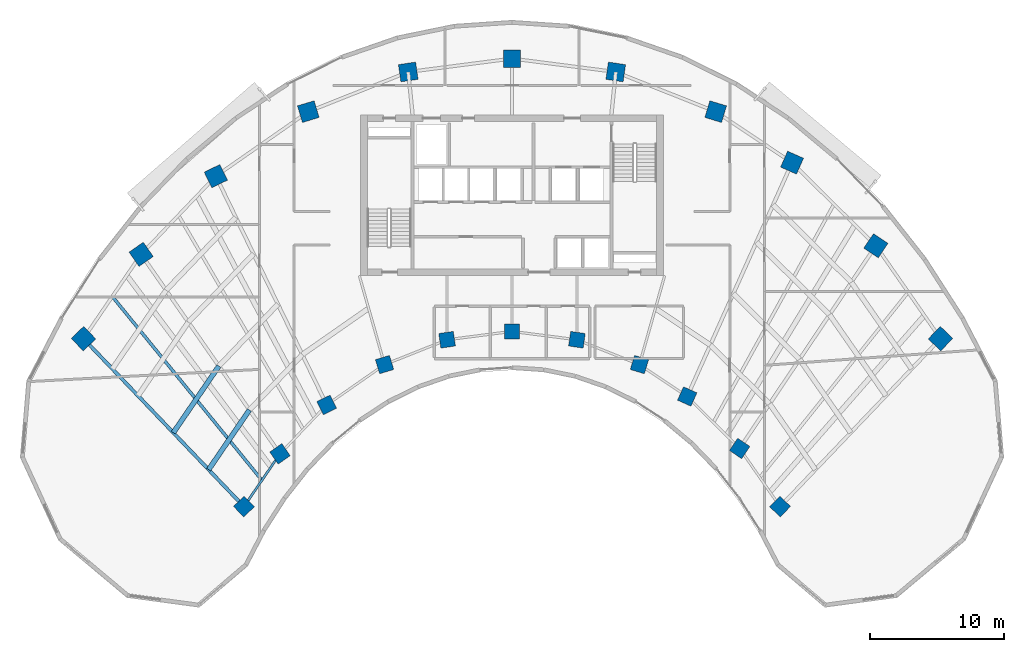
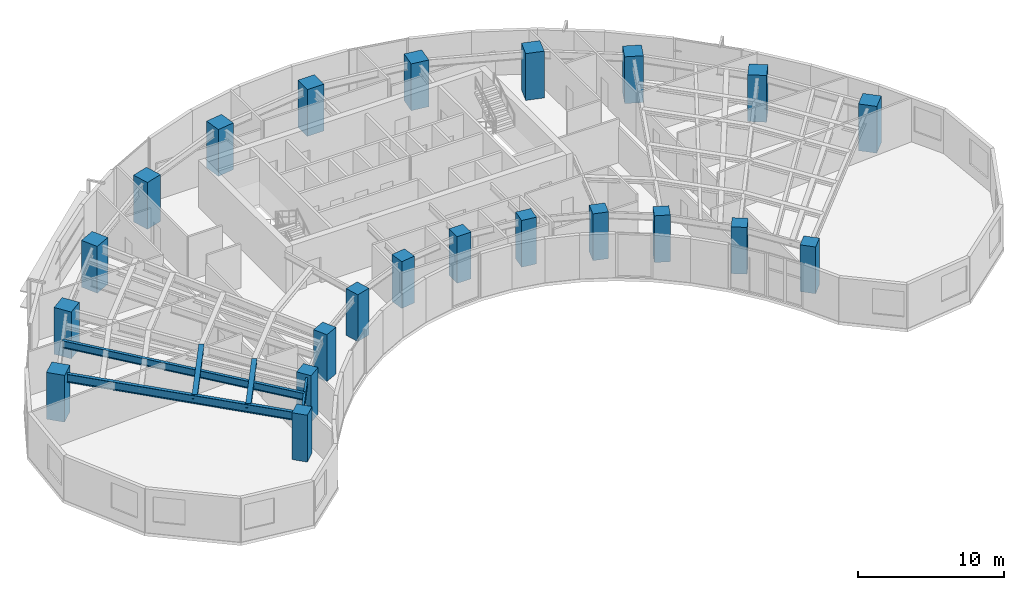
# One storey, part 1 of 14: 22 columns, 5 beams.
"""IFC4 building model written with IfcOpenShell, lengths in metres."""

from ifc_helpers import new_model, si_unit, direction, frame, origin, origin_2d, place, context, subcontext, project, spatial, rectangle, i_section, extrude, source, transform, mapped, material, material_profile, profile_set, type_object, type_shapes, element, save


model = new_model("IFC4")

# Units and contexts
model_context = context("Model", 3, precision=1e-05, world=origin(), true_north=direction((0.0, 1.0)))
body_context = subcontext(model_context, "Body", "Model", "MODEL_VIEW")
ifc_project = project(units=[si_unit("LENGTHUNIT", "METRE"), si_unit("AREAUNIT", "SQUARE_METRE"), si_unit("VOLUMEUNIT", "CUBIC_METRE"), si_unit("PLANEANGLEUNIT", "RADIAN"), si_unit("MASSUNIT", "GRAM", prefix="KILO")], contexts=[model_context])

# Site, building, storey
site_placement = place(None, origin())
site = spatial("IfcSite", under=ifc_project, at=site_placement, CompositionType="ELEMENT")
building_placement = place(site_placement, origin())
building = spatial("IfcBuilding", under=site, at=building_placement, Name="Breltana Convention Tower", CompositionType="ELEMENT")
storey_placement = place(building_placement, frame((0.0, 0.0, 99.89990234375)))
storey = spatial("IfcBuildingStorey", under=building, at=storey_placement, Name="L23", CompositionType="ELEMENT", Elevation=99.89990234375)

# Columns
ifc_material_1 = material(Name="Concrete C60/75", Category="concrete")
ifc_material_profile_1 = material_profile(ifc_material_1, rectangle(XDim=1.10009765625, YDim=1.10009765625, at=origin_2d()), Name="RC-COL-1100X1100")
ifc_profile_set_1 = profile_set([ifc_material_profile_1], Name="Concrete C60/75")
column_type_1 = type_object("IfcColumnType", Name="COL-RC-1100", PredefinedType="COLUMN", material=ifc_profile_set_1)
shared_shape_1 = source(origin(), body_context, "Body", "SweptSolid", [
    extrude(rectangle(XDim=1.10009765625, YDim=1.10009765625, at=origin_2d()), origin(), (0.0, 0.0, 1.0), 3.900146484375),
])
for number, where, z_axis, x_axis, name in (
    (1, (27.984619140625, 42.95458984375, 0.0), (0.0, 0.0, 1.0), (-0.690756218984, 0.723087716626, 0.0), "L23 Tower Column R01-IN"),
    (2, (30.67724609375, 46.892333984375, 0.0), (0.0, 0.0, 1.0), (-0.571143442153, 0.820850271661, 0.0), "L23 Tower Column R02-IN"),
    (3, (34.166259765625, 50.544921875, 0.0), (0.0, 0.0, 1.0), (-0.436173672171, 0.899862504889, 0.0), "L23 Tower Column R03-IN"),
    (4, (38.485107421875, 53.5576171875, 0.0), (0.0, 0.0, 1.0), (-0.288697611798, 0.957420330337, 0.0), "L23 Tower Column R04-IN"),
    (5, (43.153564453125, 55.41064453125, 0.0), (0.0, 0.0, 1.0), (-0.143492621991, 0.98965138682, 0.0), "L23 Tower Column R05-IN"),
    (6, (48.0, 56.035888671875, 0.0), (0.0, 0.0, 1.0), (0.0, 1.0, 0.0), "L23 Tower Column R06-IN"),
    (7, (52.846435546875, 55.41064453125, 0.0), (0.0, 0.0, 1.0), (0.143492621991, 0.98965138682, 0.0), "L23 Tower Column R07-IN"),
    (8, (57.514892578125, 53.5576171875, 0.0), (0.0, 0.0, 1.0), (0.288697611798, 0.957420330337, 0.0), "L23 Tower Column R08-IN"),
    (9, (61.08203125, 51.174560546875, 0.0), (0.0, 0.0, 1.0), (0.409126902895, 0.912477494148, 0.0), "L23 Tower Column R09-IN"),
    (10, (64.995849609375, 47.293701171875, 0.0), (0.0, 0.0, 1.0), (0.55774510898, 0.830012285095, 0.0), "L23 Tower Column R10-IN"),
    (11, (68.015380859375, 42.95458984375, 0.0), (0.0, 0.0, 1.0), (0.690756218984, 0.723087716626, 0.0), "L23 Tower Column R11-IN"),
):
    element("IfcColumn", number, at=place(storey_placement, frame(where, z_axis=z_axis, x_axis=x_axis)), inside=storey, type_object=column_type_1, Name=name, PredefinedType="COLUMN", context=body_context, shape_type="MappedRepresentation", body=[
        mapped(shared_shape_1, transform((0.0, 0.0, 0.0), scale=1.0)),
    ])
ifc_material_profile_2 = material_profile(ifc_material_1, rectangle(XDim=1.300048828125, YDim=1.300048828125, at=origin_2d()), Name="RC-COL-1300X1300")
ifc_profile_set_2 = profile_set([ifc_material_profile_2], Name="Concrete C60/75")
column_type_2 = type_object("IfcColumnType", Name="COL-RC-1300", PredefinedType="COLUMN", material=ifc_profile_set_2)
shared_shape_2 = source(origin(), body_context, "Body", "SweptSolid", [
    extrude(rectangle(XDim=1.300048828125, YDim=1.300048828125, at=origin_2d()), origin(), (0.0, 0.0, 1.0), 3.900146484375),
])
for number, where, z_axis, x_axis, name in (
    (12, (16.0068359375, 55.494384765625, 0.0), (0.0, 0.0, 1.0), (-0.690756218984, 0.723087716626, 0.0), "L23 Tower Column R01-OUT"),
    (13, (20.310791015625, 61.78857421875, 0.0), (0.0, 0.0, 1.0), (-0.571143442153, 0.820850271661, 0.0), "L23 Tower Column R02-OUT"),
    (14, (25.8876953125, 67.626953125, 0.0), (0.0, 0.0, 1.0), (-0.436173672171, 0.899862504889, 0.0), "L23 Tower Column R03-OUT"),
    (15, (32.791015625, 72.4423828125, 0.0), (0.0, 0.0, 1.0), (-0.288697611798, 0.957420330337, 0.0), "L23 Tower Column R04-OUT"),
    (16, (40.253173828125, 75.404296875, 0.0), (0.0, 0.0, 1.0), (-0.143492621991, 0.98965138682, 0.0), "L23 Tower Column R05-OUT"),
    (17, (48.0, 76.404052734375, 0.0), (0.0, 0.0, 1.0), (0.0, 1.0, 0.0), "L23 Tower Column R06-OUT"),
    (18, (55.746826171875, 75.404296875, 0.0), (0.0, 0.0, 1.0), (0.143492621991, 0.98965138682, 0.0), "L23 Tower Column R07-OUT"),
    (19, (63.208984375, 72.4423828125, 0.0), (0.0, 0.0, 1.0), (0.288697611798, 0.957420330337, 0.0), "L23 Tower Column R08-OUT"),
    (20, (68.910400390625, 68.63330078125, 0.0), (0.0, 0.0, 1.0), (0.409126902895, 0.912477494148, 0.0), "L23 Tower Column R09-OUT"),
    (21, (75.166748046875, 62.43017578125, 0.0), (0.0, 0.0, 1.0), (0.55774510898, 0.830012285095, 0.0), "L23 Tower Column R10-OUT"),
    (22, (79.9931640625, 55.494384765625, 0.0), (0.0, 0.0, 1.0), (0.690756218984, 0.723087716626, 0.0), "L23 Tower Column R11-OUT"),
):
    element("IfcColumn", number, at=place(storey_placement, frame(where, z_axis=z_axis, x_axis=x_axis)), inside=storey, type_object=column_type_2, Name=name, PredefinedType="COLUMN", context=body_context, shape_type="MappedRepresentation", body=[
        mapped(shared_shape_2, transform((0.0, 0.0, 0.0), scale=1.0)),
    ])

# Beams
ifc_material_2 = material(Name="Steel ASTM A992 Grade 50", Category="steel")
ifc_material_profile_3 = material_profile(ifc_material_2, i_section(OverallWidth=0.25390625, OverallDepth=0.68798828125, WebThickness=0.01318359375, FlangeThickness=0.02099609375, at=origin_2d()), Name="W27X102")
ifc_profile_set_3 = profile_set([ifc_material_profile_3], Name="Steel ASTM A992 Grade 50")
beam_type_1 = type_object("IfcBeamType", Name="BM-RG-W27X102", PredefinedType="USERDEFINED", material=ifc_profile_set_3)
shared_shape_3 = source(origin(), body_context, "Body", "SweptSolid", [
    extrude(i_section(OverallWidth=0.25390625, OverallDepth=0.68798828125, WebThickness=0.01318359375, FlangeThickness=0.02099609375, at=origin_2d()), origin(), (0.0, 0.0, 1.0), 17.341064453125),
])
type_shapes(beam_type_1, [shared_shape_3])
beam_1_placement = place(storey_placement, frame((27.984619140625, 42.95458984375, 3.30615234375), z_axis=(-0.690716462293, 0.723125693581, 0.0), x_axis=(-0.723125693581, -0.690716462293, 0.0)))
element("IfcBeam", 23, at=beam_1_placement, inside=storey, type_object=beam_type_1, Name="L23 Radial Floor Girder R01", ObjectType="GIRDER", PredefinedType="USERDEFINED", context=body_context, shape_type="MappedRepresentation", body=[
    mapped(shared_shape_3, transform((0.0, 0.0, 0.0), scale=1.0)),
])
ifc_material_profile_4 = material_profile(ifc_material_2, i_section(OverallWidth=0.166015625, OverallDepth=0.534912109375, WebThickness=0.01025390625, FlangeThickness=0.0166015625, at=origin_2d()), Name="W21X57")
ifc_profile_set_4 = profile_set([ifc_material_profile_4], Name="Steel ASTM A992 Grade 50")
beam_type_2 = type_object("IfcBeamType", Name="BM-BM-W21X57", PredefinedType="BEAM", material=ifc_profile_set_4)
shared_shape_4 = source(origin(), body_context, "Body", "SweptSolid", [
    extrude(i_section(OverallWidth=0.166015625, OverallDepth=0.534912109375, WebThickness=0.01025390625, FlangeThickness=0.0166015625, at=origin_2d()), origin(), (0.0, 0.0, 1.0), 4.770263671875),
])
beam_2_placement = place(storey_placement, frame((27.984619140625, 42.95458984375, 3.382568359375), z_axis=(0.564452719055, 0.82546540082, 0.0), x_axis=(-0.82546540082, 0.564452719055, 0.0)))
element("IfcBeam", 24, at=beam_2_placement, inside=storey, type_object=beam_type_2, Name="L23 Inner Ring Beam 01", PredefinedType="BEAM", context=body_context, shape_type="MappedRepresentation", body=[
    mapped(shared_shape_4, transform((0.0, 0.0, 0.0), scale=1.0)),
])
ifc_material_profile_5 = material_profile(ifc_material_2, i_section(OverallWidth=0.368896484375, OverallDepth=0.35595703125, WebThickness=0.01123046875, FlangeThickness=0.01806640625, at=origin_2d()), Name="W14X90")
ifc_profile_set_5 = profile_set([ifc_material_profile_5], Name="Steel ASTM A992 Grade 50")
beam_type_3 = type_object("IfcBeamType", Name="BM-JSG-09", PredefinedType="JOIST", material=ifc_profile_set_5)
shared_shape_5 = source(origin(), body_context, "Body", "SweptSolid", [
    extrude(i_section(OverallWidth=0.368896484375, OverallDepth=0.35595703125, WebThickness=0.01123046875, FlangeThickness=0.01806640625, at=origin_2d()), origin(), (0.0, 0.0, 1.0), 5.3984375),
])
beam_3_placement = place(storey_placement, frame((25.349365234375, 45.71337890625, 3.47216796875), z_axis=(0.564440705434, 0.825473615599, 0.0), x_axis=(-0.825473615599, 0.564440705434, 0.0)))
element("IfcBeam", 25, at=beam_3_placement, inside=storey, type_object=beam_type_3, Name="L23 Composite Floor Joist 01.1", PredefinedType="JOIST", context=body_context, shape_type="MappedRepresentation", body=[
    mapped(shared_shape_5, transform((0.0, 0.0, 0.0), scale=1.0)),
])
shared_shape_6 = source(origin(), body_context, "Body", "SweptSolid", [
    extrude(i_section(OverallWidth=0.368896484375, OverallDepth=0.35595703125, WebThickness=0.01123046875, FlangeThickness=0.01806640625, at=origin_2d()), origin(), (0.0, 0.0, 1.0), 6.0263671875),
])
beam_4_placement = place(storey_placement, frame((22.71435546875, 48.47216796875, 3.47216796875), z_axis=(0.564450071397, 0.825467211281, 0.0), x_axis=(-0.825467211281, 0.564450071397, 0.0)))
element("IfcBeam", 26, at=beam_4_placement, inside=storey, type_object=beam_type_3, Name="L23 Composite Floor Joist 01.2", PredefinedType="JOIST", context=body_context, shape_type="MappedRepresentation", body=[
    mapped(shared_shape_6, transform((0.0, 0.0, 0.0), scale=1.0)),
])
ifc_material_profile_6 = material_profile(ifc_material_2, i_section(OverallWidth=0.22802734375, OverallDepth=0.60791015625, WebThickness=0.01123046875, FlangeThickness=0.017333984375, at=origin_2d()), Name="W24X76")
ifc_profile_set_6 = profile_set([ifc_material_profile_6], Name="Steel ASTM A992 Grade 50")
beam_type_4 = type_object("IfcBeamType", Name="BM-JSG-02", PredefinedType="JOIST", material=ifc_profile_set_6)
shared_shape_7 = source(origin(), body_context, "Body", "SweptSolid", [
    extrude(i_section(OverallWidth=0.22802734375, OverallDepth=0.60791015625, WebThickness=0.01123046875, FlangeThickness=0.017333984375, at=origin_2d()), origin(), (0.0, 0.0, 1.0), 17.691650390625),
])
type_shapes(beam_type_4, [shared_shape_7])
beam_5_placement = place(storey_placement, frame((29.330810546875, 44.923583984375, 3.34619140625), z_axis=(-0.631476958478, 0.775394642044, 0.0), x_axis=(-0.775394642044, -0.631476958478, 0.0)))
element("IfcBeam", 27, at=beam_5_placement, inside=storey, type_object=beam_type_4, Name="L23 Mid-Bay Radial Trimmer 01", PredefinedType="JOIST", context=body_context, shape_type="MappedRepresentation", body=[
    mapped(shared_shape_7, transform((0.0, 0.0, 0.0), scale=1.0)),
])

save(model, "model.ifc")
